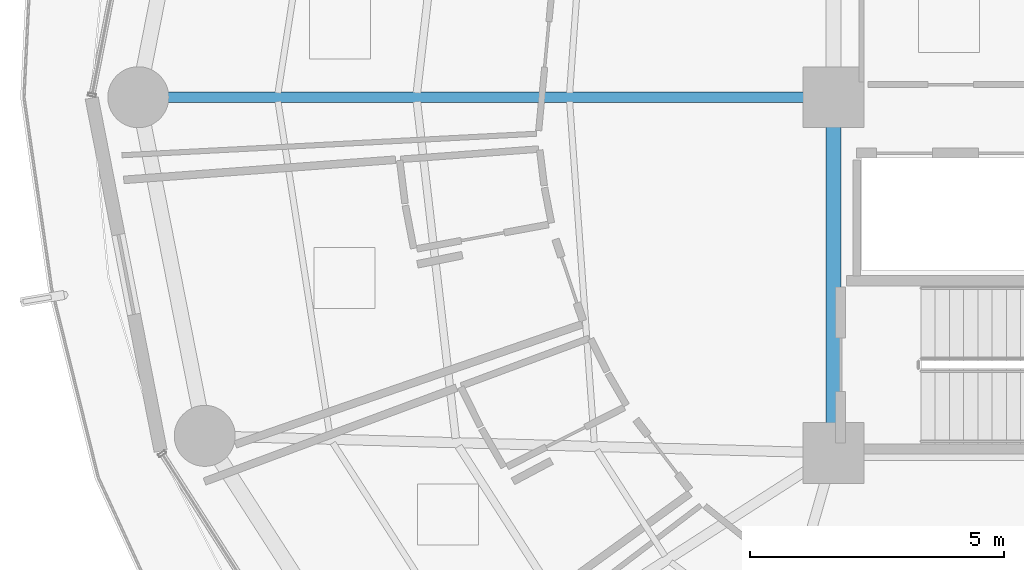
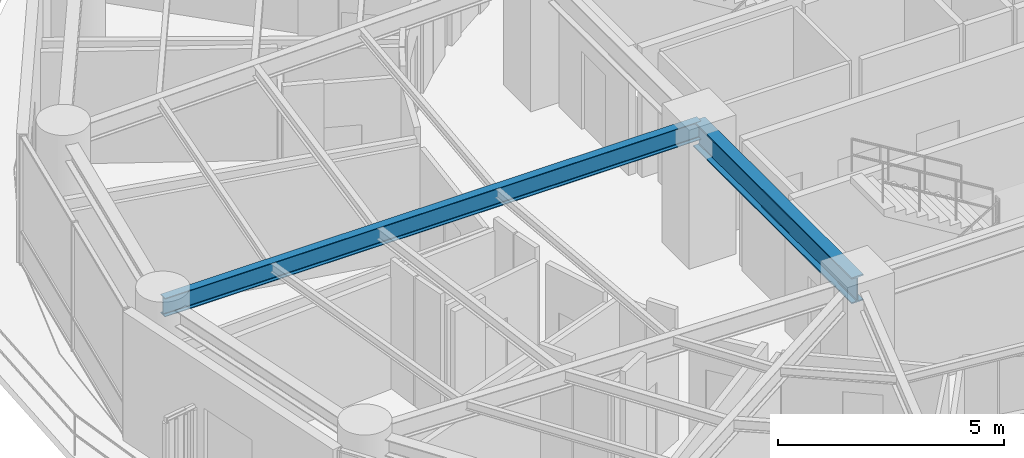
# One storey, part 7 of 29: 2 beams.
"""IFC4 building model written with IfcOpenShell, lengths in metres."""

import ifcopenshell
import ifcopenshell.guid

model = None  # the IFC model being written
_history = None  # IfcOwnerHistory: only IFC2X3 demands one
_inside = {}  # id of a spatial element -> (the spatial element, [elements in it])
_under = {}  # id of a project, library or spatial element -> (it, [spatial elements below it])
_declared = {}  # id of a project -> (the project, [libraries it declares])
_typed = {}  # id of a type object -> (the type object, [elements of that type])
_made_of = {}  # id of a material, layer set ... -> (it, [elements and type objects made of it])


def new_model(schema):
    """Start an empty IFC model of exactly this schema.

    Asked for "IFC4X3", IfcOpenShell would pick the latest addendum, in which some entities
    have other attributes; the version numbers below select the first issue.
    IFC2X3 requires an IfcOwnerHistory on every rooted entity: one is made here for all.
    """
    global model, _history
    if schema == "IFC4X3":
        model = ifcopenshell.file(schema_version=(4, 3, 0, 0))
    else:
        model = ifcopenshell.file(schema=schema)
    _inside.clear()
    _under.clear()
    _declared.clear()
    _typed.clear()
    _made_of.clear()
    _history = None
    if model.schema == "IFC2X3":
        org = make("IfcOrganization", Name="unknown")
        user = make(
            "IfcPersonAndOrganization",
            ThePerson=make("IfcPerson", FamilyName="unknown"),
            TheOrganization=org,
        )
        app = make(
            "IfcApplication",
            ApplicationDeveloper=org,
            Version="unknown",
            ApplicationFullName="unknown",
            ApplicationIdentifier="unknown",
        )
        _history = make(
            "IfcOwnerHistory",
            OwningUser=user,
            OwningApplication=app,
            ChangeAction="ADDED",
            CreationDate=0,
        )
    return model


def make(cls, **values):
    """One entity of the class cls with the attributes given. An attribute that is None is left unset."""
    return model.create_entity(
        cls, **{name: value for name, value in values.items() if value is not None}
    )


def rooted(cls, **values):
    """An entity with a GlobalId (a new one), such as an element, a storey or a relation."""
    return make(cls, GlobalId=ifcopenshell.guid.new(), OwnerHistory=_history, **values)


def si_unit(unit_type, name, prefix=None):
    """IfcSIUnit, for example si_unit("LENGTHUNIT", "METRE", prefix="MILLI")."""
    return make("IfcSIUnit", UnitType=unit_type, Prefix=prefix, Name=name)


def assignment(units):
    """IfcUnitAssignment: the units of a project."""
    return None if units is None else make("IfcUnitAssignment", Units=units)


def point(xyz):
    """IfcCartesianPoint."""
    return None if xyz is None else make("IfcCartesianPoint", Coordinates=xyz)


def direction(xyz):
    """IfcDirection."""
    return None if xyz is None else make("IfcDirection", DirectionRatios=xyz)


def frame(location, z_axis=None, x_axis=None):
    """IfcAxis2Placement3D, a coordinate frame: its origin and axes. An axis left out is left unset."""
    return make(
        "IfcAxis2Placement3D",
        Location=point(location),
        Axis=direction(z_axis),
        RefDirection=direction(x_axis),
    )


def frame_2d(location, x_axis=None):
    """IfcAxis2Placement2D, a coordinate frame in the plane: its origin and x axis."""
    return make(
        "IfcAxis2Placement2D", Location=point(location), RefDirection=direction(x_axis)
    )


def origin():
    """The frame at (0, 0, 0) with its axes left unset."""
    return frame((0.0, 0.0, 0.0))


def origin_2d():
    """The frame at (0, 0) in the plane with its x axis left unset."""
    return frame_2d((0.0, 0.0))


def place(relative_to, where):
    """IfcLocalPlacement: puts the frame where relative to a parent placement (None: the world)."""
    return make(
        "IfcLocalPlacement", PlacementRelTo=relative_to, RelativePlacement=where
    )


def context(
    kind, dimensions, precision=None, world=None, true_north=None, identifier=None
):
    """IfcGeometricRepresentationContext, for example the 3D "Model" context."""
    return make(
        "IfcGeometricRepresentationContext",
        ContextIdentifier=identifier,
        ContextType=kind,
        CoordinateSpaceDimension=dimensions,
        Precision=precision,
        WorldCoordinateSystem=world,
        TrueNorth=true_north,
    )


def subcontext(parent, identifier, kind, view, scale=None):
    """IfcGeometricRepresentationSubContext, for example "Body" below "Model"."""
    return make(
        "IfcGeometricRepresentationSubContext",
        ContextIdentifier=identifier,
        ContextType=kind,
        ParentContext=parent,
        TargetScale=scale,
        TargetView=view,
    )


def project(units=None, contexts=None):
    """IfcProject with its units and contexts."""
    return rooted(
        "IfcProject",
        Name="project",
        RepresentationContexts=contexts,
        UnitsInContext=assignment(units),
    )


def spatial(cls, under=None, at=None, **own):
    """A site, building, storey or space (cls), placed at a placement, below another one or the project."""
    s = rooted(cls, ObjectPlacement=at, **own)
    if under is not None:
        _under.setdefault(under.id(), (under, []))[1].append(s)
    return s


def profile(cls, at=None, kind="AREA", **sizes):
    """A parametric profile (cls). Its sizes go by their IFC names, for example OverallWidth=200.0."""
    return make(cls, ProfileType=kind, Position=at, **sizes)


def i_section(**sizes):
    """IfcIShapeProfileDef."""
    return profile("IfcIShapeProfileDef", **sizes)


def extrude(swept, where, along, depth):
    """IfcExtrudedAreaSolid: the profile swept, set in the frame where, extruded along a direction by depth."""
    return make(
        "IfcExtrudedAreaSolid",
        SweptArea=swept,
        Position=where,
        ExtrudedDirection=direction(along),
        Depth=depth,
    )


def shape(context_of_items, identifier, shape_type, items):
    """IfcShapeRepresentation: the items that make up one representation, for example the "Body"."""
    return make(
        "IfcShapeRepresentation",
        ContextOfItems=context_of_items,
        RepresentationIdentifier=identifier,
        RepresentationType=shape_type,
        Items=items,
    )


def material(Name=None, Category=None):
    """IfcMaterial."""
    return make("IfcMaterial", Name=Name, Category=Category)


def material_profile(
    of_material, cross_section, Name=None, Category=None, Priority=None
):
    """IfcMaterialProfile: a cross section and its material."""
    return make(
        "IfcMaterialProfile",
        Name=Name,
        Material=of_material,
        Profile=cross_section,
        Priority=Priority,
        Category=Category,
    )


def profile_set(profiles, Name=None, composite=None):
    """IfcMaterialProfileSet."""
    return make(
        "IfcMaterialProfileSet",
        Name=Name,
        MaterialProfiles=profiles,
        CompositeProfile=composite,
    )


def made_of(thing, what):
    """Note that an element or type object is made of a material, layer set ...; save() writes the relation."""
    if what is not None:
        _made_of.setdefault(what.id(), (what, []))[1].append(thing)
    return thing


def type_object(cls, material=None, **own):
    """A type object (cls), such as IfcWallType, which elements share."""
    return made_of(rooted(cls, **own), material)


def element(
    cls,
    number,
    at=None,
    inside=None,
    cuts=None,
    type_object=None,
    material=None,
    context=None,
    identifier="Body",
    shape_type=None,
    held_by="IfcProductDefinitionShape",
    body=None,
    shapes=None,
    **own,
):
    """One element of the class cls, such as IfcWall. Its Tag is "e" and its number.

    at: its placement. inside: the storey or other place that contains it. cuts: it is an
    opening in that element (IfcRelVoidsElement). A single representation is given by context,
    identifier, shape_type and body (its items); several are given by shapes. held_by: the class
    of the entity that holds the representations. save() writes the other relations.
    """
    e = rooted(cls, Tag="e%d" % number, ObjectPlacement=at, **own)
    if body is not None:
        shapes = [shape(context, identifier, shape_type, body)]
    if shapes is not None:
        e.Representation = make(held_by, Representations=shapes)
    if inside is not None:
        _inside.setdefault(inside.id(), (inside, []))[1].append(e)
    if cuts is not None:
        rooted(
            "IfcRelVoidsElement", RelatingBuildingElement=cuts, RelatedOpeningElement=e
        )
    if type_object is not None:
        _typed.setdefault(type_object.id(), (type_object, []))[1].append(e)
    return made_of(e, material)


def aggregate(whole, parts):
    """IfcRelAggregates: a whole, such as a stair, and the parts it consists of."""
    return rooted("IfcRelAggregates", RelatingObject=whole, RelatedObjects=parts)


def save(model, path):
    """Write the relations noted so far, then the file.

    IfcRelAggregates (storeys below a building ...), IfcRelContainedInSpatialStructure (elements
    in a storey), IfcRelDefinesByType, IfcRelAssociatesMaterial and IfcRelDeclares: one each for
    every whole, place, type object, material and project.
    """
    for whole, parts in _under.values():
        aggregate(whole, parts)
    for where, things in _inside.values():
        rooted(
            "IfcRelContainedInSpatialStructure",
            RelatedElements=things,
            RelatingStructure=where,
        )
    for kind, things in _typed.values():
        rooted("IfcRelDefinesByType", RelatedObjects=things, RelatingType=kind)
    for what, things in _made_of.values():
        rooted("IfcRelAssociatesMaterial", RelatedObjects=things, RelatingMaterial=what)
    for by, libraries in _declared.values():
        rooted("IfcRelDeclares", RelatingContext=by, RelatedDefinitions=libraries)
    model.write(path)


model = new_model("IFC4")

# Units and contexts
model_context = context("Model", 3, precision=1e-05, world=origin(), true_north=direction((0.0, 1.0)))
body_context = subcontext(model_context, "Body", "Model", "MODEL_VIEW")
ifc_project = project(units=[si_unit("LENGTHUNIT", "METRE"), si_unit("AREAUNIT", "SQUARE_METRE"), si_unit("VOLUMEUNIT", "CUBIC_METRE"), si_unit("PLANEANGLEUNIT", "RADIAN"), si_unit("MASSUNIT", "GRAM", prefix="KILO")], contexts=[model_context])

# Site, building, storey
site_placement = place(None, origin())
site = spatial("IfcSite", under=ifc_project, at=site_placement, CompositionType="ELEMENT")
building_placement = place(site_placement, origin())
building = spatial("IfcBuilding", under=site, at=building_placement, Name="Kelanora Arch Commons", CompositionType="ELEMENT")
storey_placement = place(building_placement, frame((0.0, 0.0, 135.60009765625)))
storey = spatial("IfcBuildingStorey", under=building, at=storey_placement, Name="L34", CompositionType="ELEMENT", Elevation=135.60009765625)

# Beams
ifc_material = material(Name="Steel S355", Category="steel")
ifc_material_profile_1 = material_profile(ifc_material, i_section(OverallWidth=0.300048828125, OverallDepth=0.699951171875, WebThickness=0.01708984375, FlangeThickness=0.031982421875, FilletRadius=0.027099609375, at=origin_2d()), Name="HEB700")
ifc_profile_set_1 = profile_set([ifc_material_profile_1], Name="Steel S355")
beam_type_1 = type_object("IfcBeamType", Name="BM-CORE-HDR", PredefinedType="BEAM", material=ifc_profile_set_1)
beam_1_placement = place(storey_placement, frame((66.0, 58.0, 3.139892578125), z_axis=(0.0, -1.0, 0.0), x_axis=(1.0, 0.0, 0.0)))
element("IfcBeam", 1, at=beam_1_placement, inside=storey, type_object=beam_type_1, Name="Core Header Beam 09 L34", PredefinedType="BEAM", context=body_context, shape_type="SweptSolid", body=[
    extrude(i_section(OverallWidth=0.300048828125, OverallDepth=0.699951171875, WebThickness=0.01708984375, FlangeThickness=0.031982421875, FilletRadius=0.027099609375, at=origin_2d()), origin(), (0.0, 0.0, 1.0), 7.0),
])
ifc_material_profile_2 = material_profile(ifc_material, i_section(OverallWidth=0.199951171875, OverallDepth=0.5, WebThickness=0.01025390625, FlangeThickness=0.01611328125, FilletRadius=0.02099609375, at=origin_2d()), Name="IPE500")
ifc_profile_set_2 = profile_set([ifc_material_profile_2], Name="Steel S355")
beam_type_2 = type_object("IfcBeamType", Name="BM-RAD-Z3", PredefinedType="BEAM", material=ifc_profile_set_2)
beam_2_placement = place(storey_placement, frame((66.0, 58.0, 3.239990234375), z_axis=(-1.0, 0.0, 0.0), x_axis=(0.0, -1.0, 0.0)))
element("IfcBeam", 2, at=beam_2_placement, inside=storey, type_object=beam_type_2, Name="Radial Floor Girder BR-18 L34", PredefinedType="BEAM", context=body_context, shape_type="SweptSolid", body=[
    extrude(i_section(OverallWidth=0.199951171875, OverallDepth=0.5, WebThickness=0.01025390625, FlangeThickness=0.01611328125, FilletRadius=0.02099609375, at=origin_2d()), origin(), (0.0, 0.0, 1.0), 13.679931640625),
])

save(model, "model.ifc")
